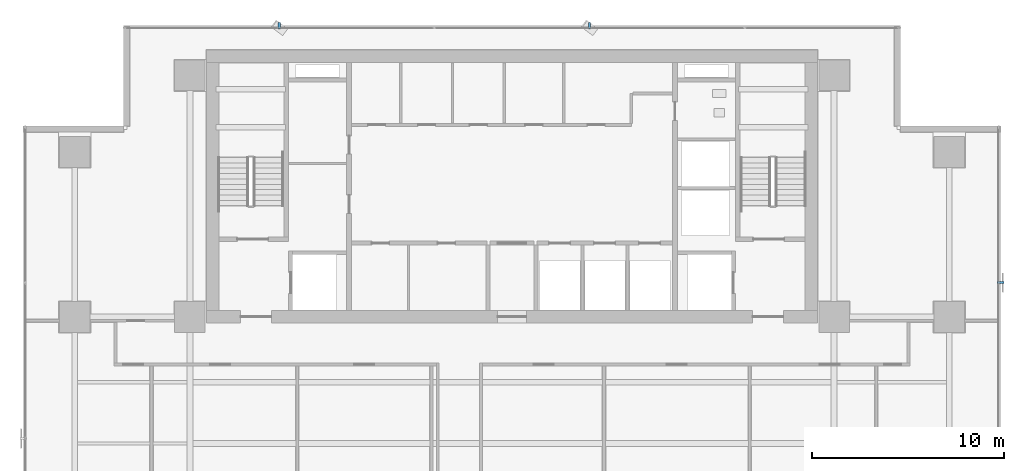
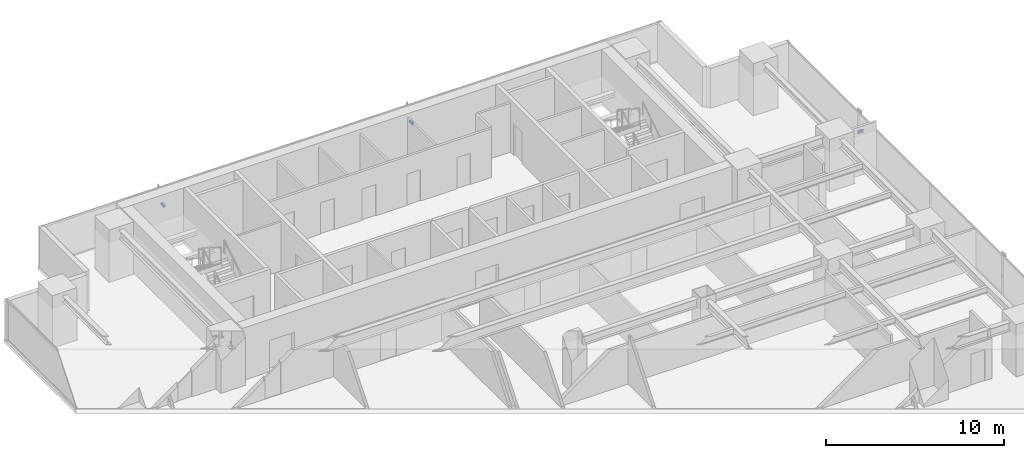
# One storey, part 32 of 37: 3 discrete accessories.
"""IFC4 building model written with IfcOpenShell, lengths in metres."""

from ifc_helpers import new_model, si_unit, direction, frame, origin, origin_2d, place, context, subcontext, project, spatial, rectangle, extrude, source, transform, mapped, material, material_profile, profile_set, type_object, element, save


model = new_model("IFC4")

# Units and contexts
model_context = context("Model", 3, precision=1e-05, world=origin(), true_north=direction((0.0, 1.0)))
body_context = subcontext(model_context, "Body", "Model", "MODEL_VIEW")
ifc_project = project(units=[si_unit("LENGTHUNIT", "METRE"), si_unit("AREAUNIT", "SQUARE_METRE"), si_unit("VOLUMEUNIT", "CUBIC_METRE"), si_unit("PLANEANGLEUNIT", "RADIAN"), si_unit("MASSUNIT", "GRAM", prefix="KILO")], contexts=[model_context])

# Site, building, storey
site_placement = place(None, origin())
site = spatial("IfcSite", under=ifc_project, at=site_placement, CompositionType="ELEMENT")
building_placement = place(site_placement, origin())
building = spatial("IfcBuilding", under=site, at=building_placement, Name="Sumidabori Civic Tower", CompositionType="ELEMENT")
storey_placement = place(building_placement, frame((0.0, 0.0, 95.60009765625)))
storey = spatial("IfcBuildingStorey", under=building, at=storey_placement, Name="L24", CompositionType="ELEMENT", Elevation=95.60009765625)

# Discrete accessories
ifc_material = material(Name="Stainless Steel Hairline Finish", Category="steel")
ifc_material_profile = material_profile(ifc_material, rectangle(XDim=0.1201171875, YDim=0.179931640625, at=origin_2d()), Name="STEEL BRACKET 180x120")
ifc_profile_set = profile_set([ifc_material_profile], Name="Stainless Steel Hairline Finish")
discrete_accessory_type = type_object("IfcDiscreteAccessoryType", Name="AC-BRK-180", PredefinedType="BRACKET", material=ifc_profile_set)
shared_shape_1 = source(origin(), body_context, "Body", "SweptSolid", [
    extrude(rectangle(XDim=0.1201171875, YDim=0.179931640625, at=origin_2d()), origin(), (0.0, 0.0, 1.0), 0.329833984375),
])
discrete_accessory_placement = place(storey_placement, frame((25.330078125, 11.991943359375, 1.35986328125), z_axis=(1.0, 0.0, 0.0), x_axis=(0.0, 1.0, 0.0)))
element("IfcDiscreteAccessory", 1, at=discrete_accessory_placement, inside=storey, type_object=discrete_accessory_type, Name="Bronze Fin Fixing Bracket L24-04", PredefinedType="BRACKET", context=body_context, shape_type="MappedRepresentation", body=[
    mapped(shared_shape_1, transform((0.0, 0.0, 0.0), x_axis=(1.0, 0.0, 0.0), y_axis=(0.0, 1.0, 0.0), z_axis=(0.0, 0.0, 1.0), scale=1.0)),
])
shared_shape_2 = source(origin(), body_context, "Body", "SweptSolid", [
    extrude(rectangle(XDim=0.1201171875, YDim=0.179931640625, at=origin_2d()), origin(), (0.0, 0.0, 1.0), 0.330078125),
])
for number, where, z_axis, x_axis, name in (
    (2, (4.0439453125, 25.22998046875, 1.35986328125), (0.0, 1.0, 0.0), (-1.0, 0.0, 0.0), "Bronze Fin Fixing Bracket L24-02"),
    (3, (-12.132080078125, 25.22998046875, 1.35986328125), (0.0, 1.0, 0.0), (-1.0, 0.0, 0.0), "Bronze Fin Fixing Bracket L24-04"),
):
    element("IfcDiscreteAccessory", number, at=place(storey_placement, frame(where, z_axis=z_axis, x_axis=x_axis)), inside=storey, type_object=discrete_accessory_type, Name=name, PredefinedType="BRACKET", context=body_context, shape_type="MappedRepresentation", body=[
        mapped(shared_shape_2, transform((0.0, 0.0, 0.0), x_axis=(1.0, 0.0, 0.0), y_axis=(0.0, 1.0, 0.0), z_axis=(0.0, 0.0, 1.0), scale=1.0)),
    ])

save(model, "model.ifc")
